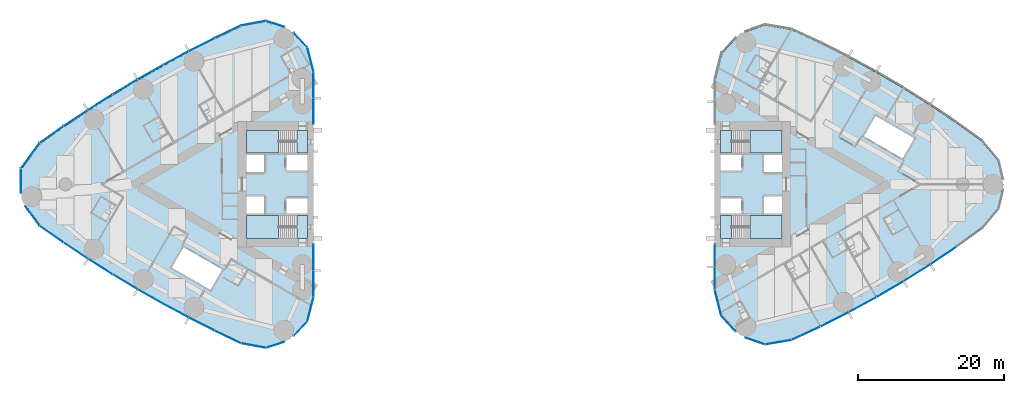
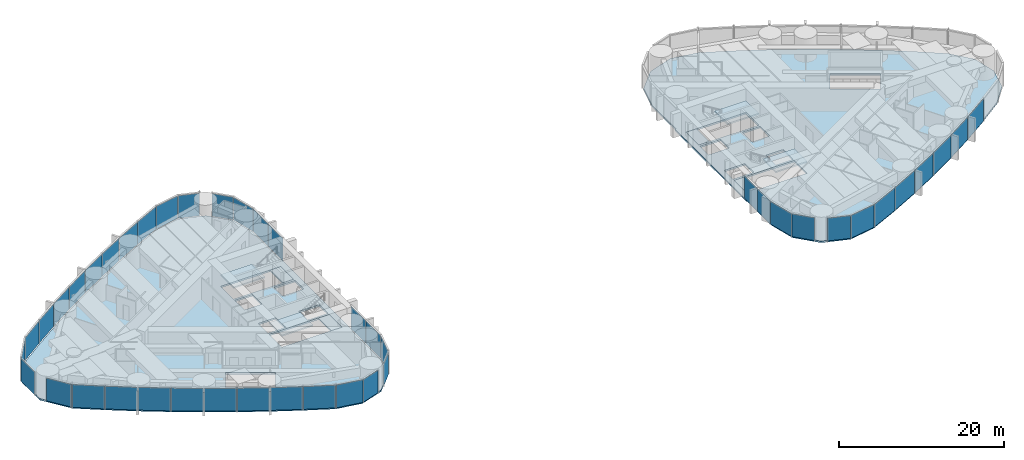
# One storey, part 10 of 19: 43 plates, 10 slabs, 10 elements without a shape of their own.
"""IFC4 building model written with IfcOpenShell, lengths in metres."""

from ifc_helpers import new_model, si_unit, direction, frame, origin, origin_2d, place, context, subcontext, project, spatial, polyline, rectangle, outline, extrude, material, layer, layer_set, type_object, element, aggregate, save


model = new_model("IFC4")

# Units and contexts
model_context = context("Model", 3, precision=1e-05, world=origin(), true_north=direction((0.0, 1.0)))
body_context = subcontext(model_context, "Body", "Model", "MODEL_VIEW")
ifc_project = project(units=[si_unit("LENGTHUNIT", "METRE"), si_unit("AREAUNIT", "SQUARE_METRE"), si_unit("VOLUMEUNIT", "CUBIC_METRE"), si_unit("PLANEANGLEUNIT", "RADIAN"), si_unit("MASSUNIT", "GRAM", prefix="KILO")], contexts=[model_context])

# Site, building, storey
site_placement = place(None, origin())
site = spatial("IfcSite", under=ifc_project, at=site_placement, CompositionType="ELEMENT")
building_placement = place(site_placement, origin())
building = spatial("IfcBuilding", under=site, at=building_placement, Name="Lancet Gate Hotel", CompositionType="ELEMENT")
storey_placement = place(building_placement, frame((0.0, 0.0, 198.300048828125)))
storey = spatial("IfcBuildingStorey", under=building, at=storey_placement, Name="L53", CompositionType="ELEMENT", Elevation=198.300048828125)

# Slabs
ifc_material_1 = material(Name="Concrete C50/60", Category="concrete")
ifc_layer_1 = layer(ifc_material_1, 0.25)
ifc_layer_set_1 = layer_set([ifc_layer_1], Name="Floor slab 250")
slab_type_1 = type_object("IfcSlabType", Name="Floor slab 250", PredefinedType="FLOOR", material=ifc_layer_set_1)
slab_1_placement = place(storey_placement, frame((0.0, 0.0, -0.25)))
element("IfcSlab", 1, at=slab_1_placement, inside=storey, type_object=slab_type_1, Name="T1 L53 floor slab", PredefinedType="FLOOR", context=body_context, shape_type="SweptSolid", body=[
    extrude(outline(polyline([(-27.5, 8.60009765625), (-27.6201171875, 8.60009765625), (-27.6201171875, 15.408203125), (-28.46923828125, 18.7265625), (-30.797607421875, 21.217529296875), (-34.0361328125, 22.283935546875), (-37.403564453125, 21.660400390625), (-40.996826171875, 19.9453125), (-44.561767578125, 18.139404296875), (-48.0830078125, 16.250244140625), (-51.558837890625, 14.27880859375), (-54.987548828125, 12.22607421875), (-58.366943359375, 10.09326171875), (-61.695068359375, 7.881591796875), (-64.955322265625, 5.602783203125), (-67.49560546875, 2.138427734375), (-67.49560546875, -2.138427734375), (-64.955322265625, -5.602783203125), (-61.695068359375, -7.881591796875), (-58.366943359375, -10.09326171875), (-54.987548828125, -12.22607421875), (-51.558837890625, -14.27880859375), (-48.0830078125, -16.250244140625), (-44.561767578125, -18.139404296875), (-40.996826171875, -19.9453125), (-37.403564453125, -21.660400390625), (-34.0361328125, -22.283935546875), (-30.797607421875, -21.217529296875), (-28.46923828125, -18.7265625), (-27.6201171875, -15.408203125), (-27.6201171875, -8.60009765625), (-27.5, -8.60009765625), (-27.5, -8.199951171875), (-27.5, 8.199951171875), (-27.5, 8.60009765625)]), holes=[polyline([(-36.699951171875, 7.39990234375), (-36.699951171875, 4.300048828125), (-28.300048828125, 4.300048828125), (-28.300048828125, 7.39990234375), (-36.699951171875, 7.39990234375)]), polyline([(-28.300048828125, 4.0), (-31.199951171875, 4.0), (-31.199951171875, 1.89990234375), (-28.300048828125, 1.89990234375), (-28.300048828125, 4.0)]), polyline([(-34.25, 4.0), (-36.699951171875, 4.0), (-36.699951171875, 1.64990234375), (-34.25, 1.64990234375), (-34.25, 4.0)]), polyline([(-36.699951171875, -1.64990234375), (-36.699951171875, -4.0), (-34.25, -4.0), (-34.25, -1.64990234375), (-36.699951171875, -1.64990234375)]), polyline([(-28.300048828125, -1.89990234375), (-31.199951171875, -1.89990234375), (-31.199951171875, -4.0), (-28.300048828125, -4.0), (-28.300048828125, -1.89990234375)]), polyline([(-28.300048828125, -4.300048828125), (-36.699951171875, -4.300048828125), (-36.699951171875, -7.39990234375), (-28.300048828125, -7.39990234375), (-28.300048828125, -4.300048828125)]), polyline([(-45.319091796875, -8.631103515625), (-46.9189453125, -11.402099609375), (-41.635986328125, -14.451904296875), (-40.035888671875, -11.680908203125), (-45.319091796875, -8.631103515625)])]), origin(), (0.0, 0.0, 1.0), 0.25),
])
slab_2_placement = place(storey_placement, frame((0.0, 0.0, -0.25)))
element("IfcSlab", 2, at=slab_2_placement, inside=storey, type_object=slab_type_1, Name="T2 L53 floor slab", PredefinedType="FLOOR", context=body_context, shape_type="SweptSolid", body=[
    extrude(outline(polyline([(27.5, -8.60009765625), (27.6201171875, -8.60009765625), (27.6201171875, -14.450439453125), (28.517822265625, -17.9853515625), (30.98291015625, -20.65185546875), (34.421875, -21.819091796875), (38.01513671875, -21.201171875), (41.9296875, -19.383056640625), (45.796875, -17.435302734375), (49.6005859375, -15.36572265625), (53.336669921875, -13.1767578125), (57.00146484375, -10.87060546875), (60.591552734375, -8.44921875), (64.092041015625, -5.9228515625), (66.283447265625, -3.307373046875), (67.06640625, 0.0), (66.283447265625, 3.307373046875), (64.092041015625, 5.9228515625), (60.591552734375, 8.44921875), (57.00146484375, 10.87060546875), (53.336669921875, 13.1767578125), (49.6005859375, 15.36572265625), (45.796875, 17.435302734375), (41.9296875, 19.383056640625), (38.01513671875, 21.201171875), (34.421875, 21.819091796875), (30.98291015625, 20.65185546875), (28.517822265625, 17.9853515625), (27.6201171875, 14.450439453125), (27.6201171875, 8.60009765625), (27.5, 8.60009765625), (27.5, 8.199951171875), (27.5, -8.199951171875), (27.5, -8.60009765625)]), holes=[polyline([(36.699951171875, -7.39990234375), (36.699951171875, -4.300048828125), (28.300048828125, -4.300048828125), (28.300048828125, -7.39990234375), (36.699951171875, -7.39990234375)]), polyline([(28.300048828125, -4.0), (31.199951171875, -4.0), (31.199951171875, -1.89990234375), (28.300048828125, -1.89990234375), (28.300048828125, -4.0)]), polyline([(34.25, -4.0), (36.699951171875, -4.0), (36.699951171875, -1.64990234375), (34.25, -1.64990234375), (34.25, -4.0)]), polyline([(36.699951171875, 1.64990234375), (36.699951171875, 4.0), (34.25, 4.0), (34.25, 1.64990234375), (36.699951171875, 1.64990234375)]), polyline([(28.300048828125, 1.89990234375), (31.199951171875, 1.89990234375), (31.199951171875, 4.0), (28.300048828125, 4.0), (28.300048828125, 1.89990234375)]), polyline([(28.300048828125, 4.300048828125), (36.699951171875, 4.300048828125), (36.699951171875, 7.39990234375), (28.300048828125, 7.39990234375), (28.300048828125, 4.300048828125)]), polyline([(53.242919921875, 3.555908203125), (54.843017578125, 6.326904296875), (49.56103515625, 9.376953125), (47.9609375, 6.60595703125), (53.242919921875, 3.555908203125)])]), origin(), (0.0, 0.0, 1.0), 0.25),
])

# Stair, slabs
ifc_material_2 = material(Name="Exit stair 20 risers 1500")
stair_type = type_object("IfcStairType", Name="Exit stair 20 risers 1500", PredefinedType="HALF_TURN_STAIR", material=ifc_material_2)
stair_1_placement = place(storey_placement, origin())
stair_1 = element("IfcStair", 3, at=stair_1_placement, inside=storey, type_object=stair_type, Name="T1 stair 1 L53", PredefinedType="HALF_TURN_STAIR")
ifc_material_3 = material(Name="Concrete C40/50", Category="concrete")
ifc_layer_2 = layer(ifc_material_3, 0.199951171875)
ifc_layer_set_2 = layer_set([ifc_layer_2], Name="Stair landing 200")
slab_type_2 = type_object("IfcSlabType", Name="Stair landing 200", PredefinedType="LANDING", material=ifc_layer_set_2)
slab_3_placement = place(storey_placement, frame((0.0, 0.0, -0.199951171875)))
slab_3 = element("IfcSlab", 4, at=slab_3_placement, type_object=slab_type_2, Name="ST1 landing 1", PredefinedType="LANDING", context=body_context, shape_type="SweptSolid", body=[
    extrude(outline(polyline([(-28.300048828125, 7.39990234375), (-29.800048828125, 7.39990234375), (-29.800048828125, 4.300048828125), (-28.300048828125, 4.300048828125), (-28.300048828125, 7.39990234375)])), origin(), (0.0, 0.0, 1.0), 0.199951171875),
])
slab_4_placement = place(storey_placement, frame((0.0, 0.0, 1.550048828125)))
slab_4 = element("IfcSlab", 5, at=slab_4_placement, type_object=slab_type_2, Name="ST1 landing 2", PredefinedType="LANDING", context=body_context, shape_type="SweptSolid", body=[
    extrude(outline(polyline([(-32.320068359375, 7.39990234375), (-36.699951171875, 7.39990234375), (-36.699951171875, 4.300048828125), (-32.320068359375, 4.300048828125), (-32.320068359375, 7.39990234375)])), origin(), (0.0, 0.0, 1.0), 0.199951171875),
])
aggregate(stair_1, [slab_3, slab_4])

stair_2_placement = place(storey_placement, origin())
stair_2 = element("IfcStair", 6, at=stair_2_placement, inside=storey, type_object=stair_type, Name="T1 stair 2 L53", PredefinedType="HALF_TURN_STAIR")
slab_5_placement = place(storey_placement, frame((0.0, 0.0, -0.199951171875)))
slab_5 = element("IfcSlab", 7, at=slab_5_placement, type_object=slab_type_2, Name="ST2 landing 1", PredefinedType="LANDING", context=body_context, shape_type="SweptSolid", body=[
    extrude(outline(polyline([(-28.300048828125, -4.300048828125), (-29.800048828125, -4.300048828125), (-29.800048828125, -7.39990234375), (-28.300048828125, -7.39990234375), (-28.300048828125, -4.300048828125)])), origin(), (0.0, 0.0, 1.0), 0.199951171875),
])
slab_6_placement = place(storey_placement, frame((0.0, 0.0, 1.550048828125)))
slab_6 = element("IfcSlab", 8, at=slab_6_placement, type_object=slab_type_2, Name="ST2 landing 2", PredefinedType="LANDING", context=body_context, shape_type="SweptSolid", body=[
    extrude(outline(polyline([(-32.320068359375, -4.300048828125), (-36.699951171875, -4.300048828125), (-36.699951171875, -7.39990234375), (-32.320068359375, -7.39990234375), (-32.320068359375, -4.300048828125)])), origin(), (0.0, 0.0, 1.0), 0.199951171875),
])
aggregate(stair_2, [slab_5, slab_6])

stair_3_placement = place(storey_placement, origin())
stair_3 = element("IfcStair", 9, at=stair_3_placement, inside=storey, type_object=stair_type, Name="T2 stair 1 L53", PredefinedType="HALF_TURN_STAIR")
slab_7_placement = place(storey_placement, frame((0.0, 0.0, -0.199951171875)))
slab_7 = element("IfcSlab", 10, at=slab_7_placement, type_object=slab_type_2, Name="ST3 landing 1", PredefinedType="LANDING", context=body_context, shape_type="SweptSolid", body=[
    extrude(outline(polyline([(28.300048828125, -7.39990234375), (29.800048828125, -7.39990234375), (29.800048828125, -4.300048828125), (28.300048828125, -4.300048828125), (28.300048828125, -7.39990234375)])), origin(), (0.0, 0.0, 1.0), 0.199951171875),
])
slab_8_placement = place(storey_placement, frame((0.0, 0.0, 1.550048828125)))
slab_8 = element("IfcSlab", 11, at=slab_8_placement, type_object=slab_type_2, Name="ST3 landing 2", PredefinedType="LANDING", context=body_context, shape_type="SweptSolid", body=[
    extrude(outline(polyline([(32.320068359375, -7.39990234375), (36.699951171875, -7.39990234375), (36.699951171875, -4.300048828125), (32.320068359375, -4.300048828125), (32.320068359375, -7.39990234375)])), origin(), (0.0, 0.0, 1.0), 0.199951171875),
])
aggregate(stair_3, [slab_7, slab_8])

stair_4_placement = place(storey_placement, origin())
stair_4 = element("IfcStair", 12, at=stair_4_placement, inside=storey, type_object=stair_type, Name="T2 stair 2 L53", PredefinedType="HALF_TURN_STAIR")
slab_9_placement = place(storey_placement, frame((0.0, 0.0, -0.199951171875)))
slab_9 = element("IfcSlab", 13, at=slab_9_placement, type_object=slab_type_2, Name="ST4 landing 1", PredefinedType="LANDING", context=body_context, shape_type="SweptSolid", body=[
    extrude(outline(polyline([(28.300048828125, 4.300048828125), (29.800048828125, 4.300048828125), (29.800048828125, 7.39990234375), (28.300048828125, 7.39990234375), (28.300048828125, 4.300048828125)])), origin(), (0.0, 0.0, 1.0), 0.199951171875),
])
slab_10_placement = place(storey_placement, frame((0.0, 0.0, 1.550048828125)))
slab_10 = element("IfcSlab", 14, at=slab_10_placement, type_object=slab_type_2, Name="ST4 landing 2", PredefinedType="LANDING", context=body_context, shape_type="SweptSolid", body=[
    extrude(outline(polyline([(32.320068359375, 4.300048828125), (36.699951171875, 4.300048828125), (36.699951171875, 7.39990234375), (32.320068359375, 7.39990234375), (32.320068359375, 4.300048828125)])), origin(), (0.0, 0.0, 1.0), 0.199951171875),
])
aggregate(stair_4, [slab_9, slab_10])

# Curtain wall, plates
ifc_material_4 = material(Name="Aluminium curtain wall", Category="aluminium")
curtain_wall_type = type_object("IfcCurtainWallType", Name="Tower unitised curtain wall", PredefinedType="USERDEFINED", material=ifc_material_4)
curtain_wall_1_placement = place(storey_placement, origin())
curtain_wall_1 = element("IfcCurtainWall", 15, at=curtain_wall_1_placement, inside=storey, type_object=curtain_wall_type, Name="T1 L53 curtain wall 1", ObjectType="UNITISED CURTAIN WALL", PredefinedType="USERDEFINED")
ifc_material_5 = material(Name="Glass double glazed unit 8-16-6", Category="glass")
ifc_layer_3 = layer(ifc_material_5, 0.030029296875)
ifc_layer_set_3 = layer_set([ifc_layer_3], Name="Vision panel double glazed")
plate_type = type_object("IfcPlateType", Name="Vision panel double glazed", PredefinedType="CURTAIN_PANEL", material=ifc_layer_set_3)
plate_1_placement = place(storey_placement, frame((-27.5, 10.005859375, 0.0), z_axis=(0.0, 0.0, 1.0), x_axis=(0.0, 1.0, 0.0)))
plate_1 = element("IfcPlate", 16, at=plate_1_placement, type_object=plate_type, Name="T1 L53 curtain wall 1 panel 1", PredefinedType="CURTAIN_PANEL", context=body_context, shape_type="SweptSolid", body=[
    extrude(rectangle(XDim=3.546630859375, YDim=0.030029296875, at=origin_2d()), origin(), (0.0, 0.0, 1.0), 3.35009765625),
])
plate_2_placement = place(storey_placement, frame((-27.5, 13.617431640625, 0.0), z_axis=(0.0, 0.0, 1.0), x_axis=(0.0, 1.0, 0.0)))
plate_2 = element("IfcPlate", 17, at=plate_2_placement, type_object=plate_type, Name="T1 L53 curtain wall 1 panel 2", PredefinedType="CURTAIN_PANEL", context=body_context, shape_type="SweptSolid", body=[
    extrude(rectangle(XDim=3.546630859375, YDim=0.030029296875, at=origin_2d()), origin(), (0.0, 0.0, 1.0), 3.35009765625),
])
plate_3_placement = place(storey_placement, frame((-27.930419921875, 17.104736328125, 0.0), z_axis=(0.0, 0.0, 1.0), x_axis=(-0.247936754654, 0.968776220647, 0.0)))
plate_3 = element("IfcPlate", 18, at=plate_3_placement, type_object=plate_type, Name="T1 L53 curtain wall 1 panel 3", PredefinedType="CURTAIN_PANEL", context=body_context, shape_type="SweptSolid", body=[
    extrude(rectangle(XDim=3.406005859375, YDim=0.030029296875, at=origin_2d()), origin(), (0.0, 0.0, 1.0), 3.35009765625),
])
plate_4_placement = place(storey_placement, frame((-29.28564453125, 19.77587890625, 0.0), z_axis=(0.0, 0.0, 1.0), x_axis=(-0.682844962172, 0.730563315282, 0.0)))
plate_4 = element("IfcPlate", 19, at=plate_4_placement, type_object=plate_type, Name="T1 L53 curtain wall 1 panel 4", PredefinedType="CURTAIN_PANEL", context=body_context, shape_type="SweptSolid", body=[
    extrude(rectangle(XDim=2.64453125, YDim=0.030029296875, at=origin_2d()), origin(), (0.0, 0.0, 1.0), 3.35009765625),
])
aggregate(curtain_wall_1, [plate_1, plate_2, plate_3, plate_4])

curtain_wall_2_placement = place(storey_placement, origin())
curtain_wall_2 = element("IfcCurtainWall", 20, at=curtain_wall_2_placement, inside=storey, type_object=curtain_wall_type, Name="T1 L53 curtain wall 2", ObjectType="UNITISED CURTAIN WALL", PredefinedType="USERDEFINED")
plate_5_placement = place(storey_placement, frame((-32.740234375, 21.983642578125, 0.0), z_axis=(0.0, 0.0, 1.0), x_axis=(-0.949848055084, 0.312711803827, 0.0)))
plate_5 = element("IfcPlate", 21, at=plate_5_placement, type_object=plate_type, Name="T1 L53 curtain wall 2 panel 1", PredefinedType="CURTAIN_PANEL", context=body_context, shape_type="SweptSolid", body=[
    extrude(rectangle(XDim=2.64599609375, YDim=0.030029296875, at=origin_2d()), origin(), (0.0, 0.0, 1.0), 3.35009765625),
])
plate_6_placement = place(storey_placement, frame((-35.734375, 22.091552734375, 0.0), z_axis=(0.0, 0.0, 1.0), x_axis=(-0.983292499426, -0.182032581075, 0.0)))
plate_6 = element("IfcPlate", 22, at=plate_6_placement, type_object=plate_type, Name="T1 L53 curtain wall 2 panel 2", PredefinedType="CURTAIN_PANEL", context=body_context, shape_type="SweptSolid", body=[
    extrude(rectangle(XDim=3.406005859375, YDim=0.030029296875, at=origin_2d()), origin(), (0.0, 0.0, 1.0), 3.35009765625),
])
plate_7_placement = place(storey_placement, frame((-39.245361328125, 20.914306640625, 0.0), z_axis=(0.0, 0.0, 1.0), x_axis=(-0.902453530018, -0.430787216799, 0.0)))
plate_7 = element("IfcPlate", 23, at=plate_7_placement, type_object=plate_type, Name="T1 L53 curtain wall 2 panel 3", PredefinedType="CURTAIN_PANEL", context=body_context, shape_type="SweptSolid", body=[
    extrude(rectangle(XDim=3.933837890625, YDim=0.030029296875, at=origin_2d()), origin(), (0.0, 0.0, 1.0), 3.35009765625),
])
plate_8_placement = place(storey_placement, frame((-42.83349609375, 19.1494140625, 0.0), z_axis=(0.0, 0.0, 1.0), x_axis=(-0.892071119911, -0.451895028762, 0.0)))
plate_8 = element("IfcPlate", 24, at=plate_8_placement, type_object=plate_type, Name="T1 L53 curtain wall 2 panel 4", PredefinedType="CURTAIN_PANEL", context=body_context, shape_type="SweptSolid", body=[
    extrude(rectangle(XDim=3.933837890625, YDim=0.030029296875, at=origin_2d()), origin(), (0.0, 0.0, 1.0), 3.35009765625),
])
plate_9_placement = place(storey_placement, frame((-46.379150390625, 17.300537109375, 0.0), z_axis=(0.0, 0.0, 1.0), x_axis=(-0.881195096384, -0.472752791751, 0.0)))
plate_9 = element("IfcPlate", 25, at=plate_9_placement, type_object=plate_type, Name="T1 L53 curtain wall 2 panel 5", PredefinedType="CURTAIN_PANEL", context=body_context, shape_type="SweptSolid", body=[
    extrude(rectangle(XDim=3.933837890625, YDim=0.030029296875, at=origin_2d()), origin(), (0.0, 0.0, 1.0), 3.35009765625),
])
plate_10_placement = place(storey_placement, frame((-49.880126953125, 15.368896484375, 0.0), z_axis=(0.0, 0.0, 1.0), x_axis=(-0.869831477496, -0.493348964484, 0.0)))
plate_10 = element("IfcPlate", 26, at=plate_10_placement, type_object=plate_type, Name="T1 L53 curtain wall 2 panel 6", PredefinedType="CURTAIN_PANEL", context=body_context, shape_type="SweptSolid", body=[
    extrude(rectangle(XDim=3.933837890625, YDim=0.030029296875, at=origin_2d()), origin(), (0.0, 0.0, 1.0), 3.35009765625),
])
plate_11_placement = place(storey_placement, frame((-53.3349609375, 13.35546875, 0.0), z_axis=(0.0, 0.0, 1.0), x_axis=(-0.857986551132, -0.51367215038, 0.0)))
plate_11 = element("IfcPlate", 27, at=plate_11_placement, type_object=plate_type, Name="T1 L53 curtain wall 2 panel 7", PredefinedType="CURTAIN_PANEL", context=body_context, shape_type="SweptSolid", body=[
    extrude(rectangle(XDim=3.933837890625, YDim=0.030029296875, at=origin_2d()), origin(), (0.0, 0.0, 1.0), 3.35009765625),
])
plate_12_placement = place(storey_placement, frame((-56.7412109375, 11.26123046875, 0.0), z_axis=(0.0, 0.0, 1.0), x_axis=(-0.845666871497, -0.533711103925, 0.0)))
plate_12 = element("IfcPlate", 28, at=plate_12_placement, type_object=plate_type, Name="T1 L53 curtain wall 2 panel 8", PredefinedType="CURTAIN_PANEL", context=body_context, shape_type="SweptSolid", body=[
    extrude(rectangle(XDim=3.933837890625, YDim=0.030029296875, at=origin_2d()), origin(), (0.0, 0.0, 1.0), 3.35009765625),
])
plate_13_placement = place(storey_placement, frame((-60.097412109375, 9.08740234375, 0.0), z_axis=(0.0, 0.0, 1.0), x_axis=(-0.832879255498, -0.553454736867, 0.0)))
plate_13 = element("IfcPlate", 29, at=plate_13_placement, type_object=plate_type, Name="T1 L53 curtain wall 2 panel 9", PredefinedType="CURTAIN_PANEL", context=body_context, shape_type="SweptSolid", body=[
    extrude(rectangle(XDim=3.933837890625, YDim=0.030029296875, at=origin_2d()), origin(), (0.0, 0.0, 1.0), 3.35009765625),
])
plate_14_placement = place(storey_placement, frame((-63.401611328125, 6.835205078125, 0.0), z_axis=(0.0, 0.0, 1.0), x_axis=(-0.819630778943, -0.572892124409, 0.0)))
plate_14 = element("IfcPlate", 30, at=plate_14_placement, type_object=plate_type, Name="T1 L53 curtain wall 2 panel 10", PredefinedType="CURTAIN_PANEL", context=body_context, shape_type="SweptSolid", body=[
    extrude(rectangle(XDim=3.933837890625, YDim=0.030029296875, at=origin_2d()), origin(), (0.0, 0.0, 1.0), 3.35009765625),
])
plate_15_placement = place(storey_placement, frame((-66.328125, 3.933837890625, 0.0), z_axis=(0.0, 0.0, 1.0), x_axis=(-0.591299785592, -0.806451835858, 0.0)))
plate_15 = element("IfcPlate", 31, at=plate_15_placement, type_object=plate_type, Name="T1 L53 curtain wall 2 panel 11", PredefinedType="CURTAIN_PANEL", context=body_context, shape_type="SweptSolid", body=[
    extrude(rectangle(XDim=4.290283203125, YDim=0.030029296875, at=origin_2d()), origin(), (0.0, 0.0, 1.0), 3.35009765625),
])
plate_16_placement = place(storey_placement, frame((-67.61572265625, 0.478515625, 0.0), z_axis=(0.0, 0.0, 1.0), x_axis=(0.0, -1.0, 0.0)))
plate_16 = element("IfcPlate", 32, at=plate_16_placement, type_object=plate_type, Name="T1 L53 curtain wall 2 panel 12", PredefinedType="CURTAIN_PANEL", context=body_context, shape_type="SweptSolid", body=[
    extrude(rectangle(XDim=3.333251953125, YDim=0.030029296875, at=origin_2d()), origin(), (0.0, 0.0, 1.0), 3.35009765625),
])
aggregate(curtain_wall_2, [plate_5, plate_6, plate_7, plate_8, plate_9, plate_10, plate_11, plate_12, plate_13, plate_14, plate_15, plate_16])

curtain_wall_3_placement = place(storey_placement, origin())
curtain_wall_3 = element("IfcCurtainWall", 33, at=curtain_wall_3_placement, inside=storey, type_object=curtain_wall_type, Name="T1 L53 curtain wall 3", ObjectType="UNITISED CURTAIN WALL", PredefinedType="USERDEFINED")
plate_17_placement = place(storey_placement, frame((-66.04541015625, -4.3193359375, 0.0), z_axis=(0.0, 0.0, 1.0), x_axis=(0.591299785592, -0.806451835858, 0.0)))
plate_17 = element("IfcPlate", 34, at=plate_17_placement, type_object=plate_type, Name="T1 L53 curtain wall 3 panel 1", PredefinedType="CURTAIN_PANEL", context=body_context, shape_type="SweptSolid", body=[
    extrude(rectangle(XDim=3.334228515625, YDim=0.030029296875, at=origin_2d()), origin(), (0.0, 0.0, 1.0), 3.35009765625),
])
plate_18_placement = place(storey_placement, frame((-63.401611328125, -6.835205078125, 0.0), z_axis=(0.0, 0.0, 1.0), x_axis=(0.819630778943, -0.572892124409, 0.0)))
plate_18 = element("IfcPlate", 35, at=plate_18_placement, type_object=plate_type, Name="T1 L53 curtain wall 3 panel 2", PredefinedType="CURTAIN_PANEL", context=body_context, shape_type="SweptSolid", body=[
    extrude(rectangle(XDim=3.933837890625, YDim=0.030029296875, at=origin_2d()), origin(), (0.0, 0.0, 1.0), 3.35009765625),
])
plate_19_placement = place(storey_placement, frame((-60.097412109375, -9.08740234375, 0.0), z_axis=(0.0, 0.0, 1.0), x_axis=(0.832879255498, -0.553454736867, 0.0)))
plate_19 = element("IfcPlate", 36, at=plate_19_placement, type_object=plate_type, Name="T1 L53 curtain wall 3 panel 3", PredefinedType="CURTAIN_PANEL", context=body_context, shape_type="SweptSolid", body=[
    extrude(rectangle(XDim=3.933837890625, YDim=0.030029296875, at=origin_2d()), origin(), (0.0, 0.0, 1.0), 3.35009765625),
])
plate_20_placement = place(storey_placement, frame((-56.7412109375, -11.26123046875, 0.0), z_axis=(0.0, 0.0, 1.0), x_axis=(0.845666871497, -0.533711103925, 0.0)))
plate_20 = element("IfcPlate", 37, at=plate_20_placement, type_object=plate_type, Name="T1 L53 curtain wall 3 panel 4", PredefinedType="CURTAIN_PANEL", context=body_context, shape_type="SweptSolid", body=[
    extrude(rectangle(XDim=3.933837890625, YDim=0.030029296875, at=origin_2d()), origin(), (0.0, 0.0, 1.0), 3.35009765625),
])
plate_21_placement = place(storey_placement, frame((-53.3349609375, -13.35546875, 0.0), z_axis=(0.0, 0.0, 1.0), x_axis=(0.857986551132, -0.51367215038, 0.0)))
plate_21 = element("IfcPlate", 38, at=plate_21_placement, type_object=plate_type, Name="T1 L53 curtain wall 3 panel 5", PredefinedType="CURTAIN_PANEL", context=body_context, shape_type="SweptSolid", body=[
    extrude(rectangle(XDim=3.933837890625, YDim=0.030029296875, at=origin_2d()), origin(), (0.0, 0.0, 1.0), 3.35009765625),
])
plate_22_placement = place(storey_placement, frame((-49.880126953125, -15.368896484375, 0.0), z_axis=(0.0, 0.0, 1.0), x_axis=(0.869831477496, -0.493348964484, 0.0)))
plate_22 = element("IfcPlate", 39, at=plate_22_placement, type_object=plate_type, Name="T1 L53 curtain wall 3 panel 6", PredefinedType="CURTAIN_PANEL", context=body_context, shape_type="SweptSolid", body=[
    extrude(rectangle(XDim=3.933837890625, YDim=0.030029296875, at=origin_2d()), origin(), (0.0, 0.0, 1.0), 3.35009765625),
])
plate_23_placement = place(storey_placement, frame((-46.379150390625, -17.300537109375, 0.0), z_axis=(0.0, 0.0, 1.0), x_axis=(0.881195096384, -0.472752791751, 0.0)))
plate_23 = element("IfcPlate", 40, at=plate_23_placement, type_object=plate_type, Name="T1 L53 curtain wall 3 panel 7", PredefinedType="CURTAIN_PANEL", context=body_context, shape_type="SweptSolid", body=[
    extrude(rectangle(XDim=3.933837890625, YDim=0.030029296875, at=origin_2d()), origin(), (0.0, 0.0, 1.0), 3.35009765625),
])
plate_24_placement = place(storey_placement, frame((-42.83349609375, -19.1494140625, 0.0), z_axis=(0.0, 0.0, 1.0), x_axis=(0.892071119911, -0.451895028762, 0.0)))
plate_24 = element("IfcPlate", 41, at=plate_24_placement, type_object=plate_type, Name="T1 L53 curtain wall 3 panel 8", PredefinedType="CURTAIN_PANEL", context=body_context, shape_type="SweptSolid", body=[
    extrude(rectangle(XDim=3.933837890625, YDim=0.030029296875, at=origin_2d()), origin(), (0.0, 0.0, 1.0), 3.35009765625),
])
plate_25_placement = place(storey_placement, frame((-39.245361328125, -20.914306640625, 0.0), z_axis=(0.0, 0.0, 1.0), x_axis=(0.902453530018, -0.430787216799, 0.0)))
plate_25 = element("IfcPlate", 42, at=plate_25_placement, type_object=plate_type, Name="T1 L53 curtain wall 3 panel 9", PredefinedType="CURTAIN_PANEL", context=body_context, shape_type="SweptSolid", body=[
    extrude(rectangle(XDim=3.933837890625, YDim=0.030029296875, at=origin_2d()), origin(), (0.0, 0.0, 1.0), 3.35009765625),
])
plate_26_placement = place(storey_placement, frame((-35.734375, -22.091552734375, 0.0), z_axis=(0.0, 0.0, 1.0), x_axis=(0.983292499426, -0.182032581075, 0.0)))
plate_26 = element("IfcPlate", 43, at=plate_26_placement, type_object=plate_type, Name="T1 L53 curtain wall 3 panel 10", PredefinedType="CURTAIN_PANEL", context=body_context, shape_type="SweptSolid", body=[
    extrude(rectangle(XDim=3.406005859375, YDim=0.030029296875, at=origin_2d()), origin(), (0.0, 0.0, 1.0), 3.35009765625),
])
plate_27_placement = place(storey_placement, frame((-32.740234375, -21.983642578125, 0.0), z_axis=(0.0, 0.0, 1.0), x_axis=(0.949848055084, 0.312711803827, 0.0)))
plate_27 = element("IfcPlate", 44, at=plate_27_placement, type_object=plate_type, Name="T1 L53 curtain wall 3 panel 11", PredefinedType="CURTAIN_PANEL", context=body_context, shape_type="SweptSolid", body=[
    extrude(rectangle(XDim=2.64599609375, YDim=0.030029296875, at=origin_2d()), origin(), (0.0, 0.0, 1.0), 3.35009765625),
])
aggregate(curtain_wall_3, [plate_17, plate_18, plate_19, plate_20, plate_21, plate_22, plate_23, plate_24, plate_25, plate_26, plate_27])

curtain_wall_4_placement = place(storey_placement, origin())
curtain_wall_4 = element("IfcCurtainWall", 45, at=curtain_wall_4_placement, inside=storey, type_object=curtain_wall_type, Name="T1 L53 curtain wall 4", ObjectType="UNITISED CURTAIN WALL", PredefinedType="USERDEFINED")
plate_28_placement = place(storey_placement, frame((-29.28564453125, -19.77587890625, 0.0), z_axis=(0.0, 0.0, 1.0), x_axis=(0.682844962172, 0.730563315282, 0.0)))
plate_28 = element("IfcPlate", 46, at=plate_28_placement, type_object=plate_type, Name="T1 L53 curtain wall 4 panel 1", PredefinedType="CURTAIN_PANEL", context=body_context, shape_type="SweptSolid", body=[
    extrude(rectangle(XDim=2.64453125, YDim=0.030029296875, at=origin_2d()), origin(), (0.0, 0.0, 1.0), 3.35009765625),
])
plate_29_placement = place(storey_placement, frame((-27.930419921875, -17.104736328125, 0.0), z_axis=(0.0, 0.0, 1.0), x_axis=(0.247936754654, 0.968776220647, 0.0)))
plate_29 = element("IfcPlate", 47, at=plate_29_placement, type_object=plate_type, Name="T1 L53 curtain wall 4 panel 2", PredefinedType="CURTAIN_PANEL", context=body_context, shape_type="SweptSolid", body=[
    extrude(rectangle(XDim=3.406005859375, YDim=0.030029296875, at=origin_2d()), origin(), (0.0, 0.0, 1.0), 3.35009765625),
])
plate_30_placement = place(storey_placement, frame((-27.5, -13.617431640625, 0.0), z_axis=(0.0, 0.0, 1.0), x_axis=(0.0, 1.0, 0.0)))
plate_30 = element("IfcPlate", 48, at=plate_30_placement, type_object=plate_type, Name="T1 L53 curtain wall 4 panel 3", PredefinedType="CURTAIN_PANEL", context=body_context, shape_type="SweptSolid", body=[
    extrude(rectangle(XDim=3.546630859375, YDim=0.030029296875, at=origin_2d()), origin(), (0.0, 0.0, 1.0), 3.35009765625),
])
plate_31_placement = place(storey_placement, frame((-27.5, -10.005859375, 0.0), z_axis=(0.0, 0.0, 1.0), x_axis=(0.0, 1.0, 0.0)))
plate_31 = element("IfcPlate", 49, at=plate_31_placement, type_object=plate_type, Name="T1 L53 curtain wall 4 panel 4", PredefinedType="CURTAIN_PANEL", context=body_context, shape_type="SweptSolid", body=[
    extrude(rectangle(XDim=3.546630859375, YDim=0.030029296875, at=origin_2d()), origin(), (0.0, 0.0, 1.0), 3.35009765625),
])
aggregate(curtain_wall_4, [plate_28, plate_29, plate_30, plate_31])

curtain_wall_5_placement = place(storey_placement, origin())
curtain_wall_5 = element("IfcCurtainWall", 50, at=curtain_wall_5_placement, inside=storey, type_object=curtain_wall_type, Name="T2 L53 curtain wall 1", ObjectType="UNITISED CURTAIN WALL", PredefinedType="USERDEFINED")
plate_32_placement = place(storey_placement, frame((27.5, -9.766357421875, 0.0), z_axis=(0.0, 0.0, 1.0), x_axis=(0.0, -1.0, 0.0)))
plate_32 = element("IfcPlate", 51, at=plate_32_placement, type_object=plate_type, Name="T2 L53 curtain wall 1 panel 1", PredefinedType="CURTAIN_PANEL", context=body_context, shape_type="SweptSolid", body=[
    extrude(rectangle(XDim=3.06787109375, YDim=0.030029296875, at=origin_2d()), origin(), (0.0, 0.0, 1.0), 3.35009765625),
])
plate_33_placement = place(storey_placement, frame((27.5, -12.899169921875, 0.0), z_axis=(0.0, 0.0, 1.0), x_axis=(0.0, -1.0, 0.0)))
plate_33 = element("IfcPlate", 52, at=plate_33_placement, type_object=plate_type, Name="T2 L53 curtain wall 1 panel 2", PredefinedType="CURTAIN_PANEL", context=body_context, shape_type="SweptSolid", body=[
    extrude(rectangle(XDim=3.06787109375, YDim=0.030029296875, at=origin_2d()), origin(), (0.0, 0.0, 1.0), 3.35009765625),
])
plate_34_placement = place(storey_placement, frame((27.95458984375, -16.2548828125, 0.0), z_axis=(0.0, 0.0, 1.0), x_axis=(0.246166705764, -0.969227503207, 0.0)))
plate_34 = element("IfcPlate", 53, at=plate_34_placement, type_object=plate_type, Name="T2 L53 curtain wall 1 panel 3", PredefinedType="CURTAIN_PANEL", context=body_context, shape_type="SweptSolid", body=[
    extrude(rectangle(XDim=3.62744140625, YDim=0.030029296875, at=origin_2d()), origin(), (0.0, 0.0, 1.0), 3.35009765625),
])
plate_35_placement = place(storey_placement, frame((29.4052734375, -19.122314453125, 0.0), z_axis=(0.0, 0.0, 1.0), x_axis=(0.67883123083, -0.734294327943, 0.0)))
plate_35 = element("IfcPlate", 54, at=plate_35_placement, type_object=plate_type, Name="T2 L53 curtain wall 1 panel 4", PredefinedType="CURTAIN_PANEL", context=body_context, shape_type="SweptSolid", body=[
    extrude(rectangle(XDim=2.87060546875, YDim=0.030029296875, at=origin_2d()), origin(), (0.0, 0.0, 1.0), 3.35009765625),
])
aggregate(curtain_wall_5, [plate_32, plate_33, plate_34, plate_35])

curtain_wall_6_placement = place(storey_placement, origin())
curtain_wall_6 = element("IfcCurtainWall", 55, at=curtain_wall_6_placement, inside=storey, type_object=curtain_wall_type, Name="T2 L53 curtain wall 2", ObjectType="UNITISED CURTAIN WALL", PredefinedType="USERDEFINED")
plate_36_placement = place(storey_placement, frame((33.02197265625, -21.470703125, 0.0), z_axis=(0.0, 0.0, 1.0), x_axis=(0.946952368511, -0.321373943827, 0.0)))
plate_36 = element("IfcPlate", 56, at=plate_36_placement, type_object=plate_type, Name="T2 L53 curtain wall 2 panel 1", PredefinedType="CURTAIN_PANEL", context=body_context, shape_type="SweptSolid", body=[
    extrude(rectangle(XDim=2.871337890625, YDim=0.030029296875, at=origin_2d()), origin(), (0.0, 0.0, 1.0), 3.35009765625),
])
plate_37_placement = place(storey_placement, frame((36.231689453125, -21.629638671875, 0.0), z_axis=(0.0, 0.0, 1.0), x_axis=(0.985539649572, 0.169444973729, 0.0)))
plate_37 = element("IfcPlate", 57, at=plate_37_placement, type_object=plate_type, Name="T2 L53 curtain wall 2 panel 2", PredefinedType="CURTAIN_PANEL", context=body_context, shape_type="SweptSolid", body=[
    extrude(rectangle(XDim=3.62744140625, YDim=0.030029296875, at=origin_2d()), origin(), (0.0, 0.0, 1.0), 3.35009765625),
])
plate_38_placement = place(storey_placement, frame((40.0166015625, -20.40380859375, 0.0), z_axis=(0.0, 0.0, 1.0), x_axis=(0.906934888522, 0.421270824982, 0.0)))
plate_38 = element("IfcPlate", 58, at=plate_38_placement, type_object=plate_type, Name="T2 L53 curtain wall 2 panel 3", PredefinedType="CURTAIN_PANEL", context=body_context, shape_type="SweptSolid", body=[
    extrude(rectangle(XDim=4.26904296875, YDim=0.030029296875, at=origin_2d()), origin(), (0.0, 0.0, 1.0), 3.35009765625),
])
plate_39_placement = place(storey_placement, frame((43.917236328125, -18.516357421875, 0.0), z_axis=(0.0, 0.0, 1.0), x_axis=(0.893121465596, 0.449815570752, 0.0)))
plate_39 = element("IfcPlate", 59, at=plate_39_placement, type_object=plate_type, Name="T2 L53 curtain wall 2 panel 4", PredefinedType="CURTAIN_PANEL", context=body_context, shape_type="SweptSolid", body=[
    extrude(rectangle(XDim=4.26904296875, YDim=0.030029296875, at=origin_2d()), origin(), (0.0, 0.0, 1.0), 3.35009765625),
])
plate_40_placement = place(storey_placement, frame((47.756103515625, -16.505859375, 0.0), z_axis=(0.0, 0.0, 1.0), x_axis=(0.878409907967, 0.477907976063, 0.0)))
plate_40 = element("IfcPlate", 60, at=plate_40_placement, type_object=plate_type, Name="T2 L53 curtain wall 2 panel 5", PredefinedType="CURTAIN_PANEL", context=body_context, shape_type="SweptSolid", body=[
    extrude(rectangle(XDim=4.26904296875, YDim=0.030029296875, at=origin_2d()), origin(), (0.0, 0.0, 1.0), 3.35009765625),
])
plate_41_placement = place(storey_placement, frame((51.529296875, -14.374755859375, 0.0), z_axis=(0.0, 0.0, 1.0), x_axis=(0.862815009772, 0.505519790822, 0.0)))
plate_41 = element("IfcPlate", 61, at=plate_41_placement, type_object=plate_type, Name="T2 L53 curtain wall 2 panel 6", PredefinedType="CURTAIN_PANEL", context=body_context, shape_type="SweptSolid", body=[
    extrude(rectangle(XDim=4.26904296875, YDim=0.030029296875, at=origin_2d()), origin(), (0.0, 0.0, 1.0), 3.35009765625),
])
plate_42_placement = place(storey_placement, frame((55.233154296875, -12.125244140625, 0.0), z_axis=(0.0, 0.0, 1.0), x_axis=(0.846352453444, 0.532623248225, 0.0)))
plate_42 = element("IfcPlate", 62, at=plate_42_placement, type_object=plate_type, Name="T2 L53 curtain wall 2 panel 7", PredefinedType="CURTAIN_PANEL", context=body_context, shape_type="SweptSolid", body=[
    extrude(rectangle(XDim=4.26904296875, YDim=0.030029296875, at=origin_2d()), origin(), (0.0, 0.0, 1.0), 3.35009765625),
])
plate_43_placement = place(storey_placement, frame((58.863525390625, -9.75927734375, 0.0), z_axis=(0.0, 0.0, 1.0), x_axis=(0.829038793948, 0.559191092677, 0.0)))
plate_43 = element("IfcPlate", 63, at=plate_43_placement, type_object=plate_type, Name="T2 L53 curtain wall 2 panel 8", PredefinedType="CURTAIN_PANEL", context=body_context, shape_type="SweptSolid", body=[
    extrude(rectangle(XDim=4.26904296875, YDim=0.030029296875, at=origin_2d()), origin(), (0.0, 0.0, 1.0), 3.35009765625),
])
aggregate(curtain_wall_6, [plate_36, plate_37, plate_38, plate_39, plate_40, plate_41, plate_42, plate_43])

save(model, "model.ifc")
